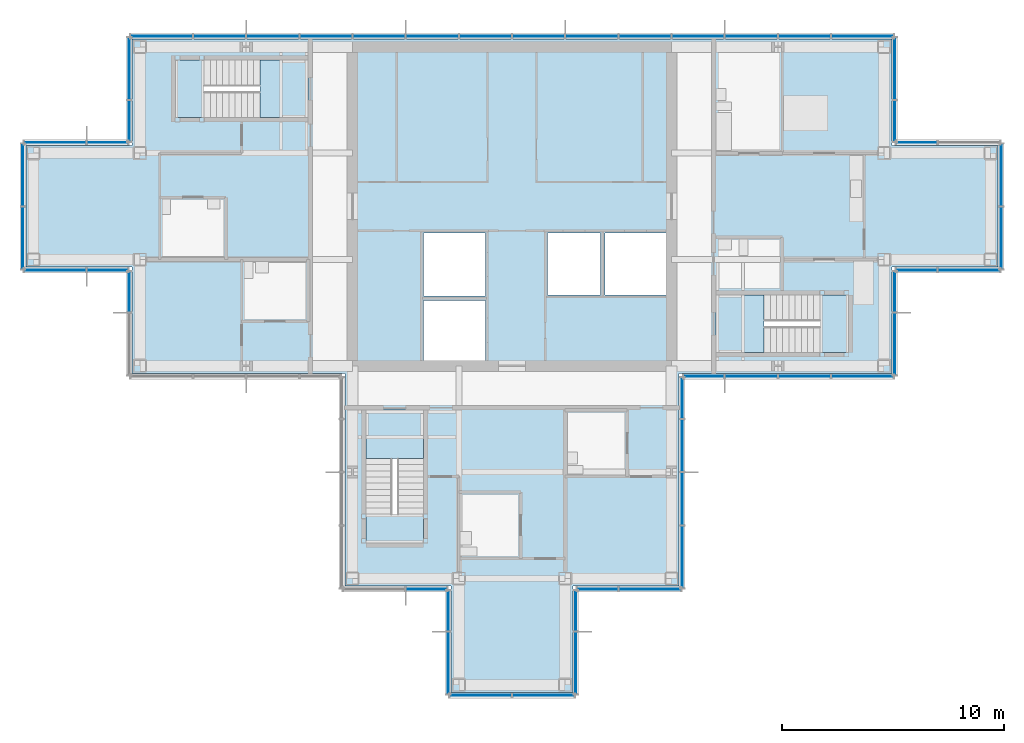
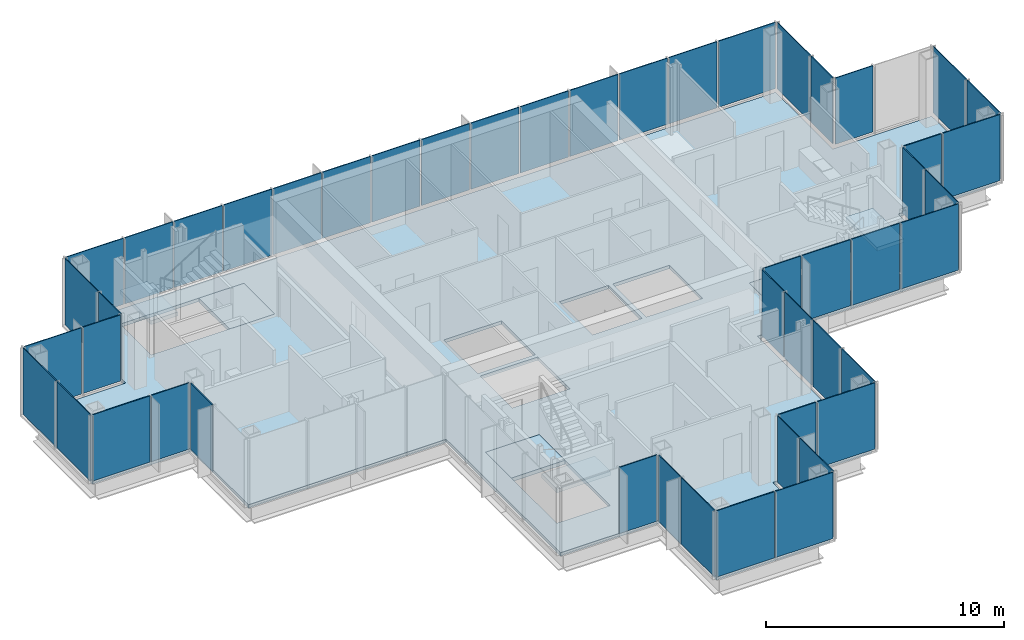
# One storey, part 9 of 15: 49 plates, 7 slabs, 21 elements without a shape of their own.
"""IFC4 building model written with IfcOpenShell, lengths in metres."""

from ifc_helpers import new_model, si_unit, direction, frame, origin, origin_2d, place, context, subcontext, project, spatial, polyline, rectangle, outline, extrude, material, layer, layer_set, type_object, element, aggregate, save


model = new_model("IFC4")

# Units and contexts
model_context = context("Model", 3, precision=1e-05, world=origin(), true_north=direction((0.0, 1.0)))
body_context = subcontext(model_context, "Body", "Model", "MODEL_VIEW")
ifc_project = project(units=[si_unit("LENGTHUNIT", "METRE"), si_unit("AREAUNIT", "SQUARE_METRE"), si_unit("VOLUMEUNIT", "CUBIC_METRE"), si_unit("PLANEANGLEUNIT", "RADIAN"), si_unit("MASSUNIT", "GRAM", prefix="KILO")], contexts=[model_context])

# Site, building, storey
site_placement = place(None, origin())
site = spatial("IfcSite", under=ifc_project, at=site_placement, CompositionType="ELEMENT")
building_placement = place(site_placement, origin())
building = spatial("IfcBuilding", under=site, at=building_placement, Name="Kvirike Care Tower", CompositionType="ELEMENT")
storey_placement = place(building_placement, frame((0.0, 0.0, 226.0)))
storey = spatial("IfcBuildingStorey", under=building, at=storey_placement, Name="L62", CompositionType="ELEMENT", Elevation=226.0)

# Slab
ifc_material_1 = material(Name="Concrete C35/45", Category="concrete")
ifc_layer_1 = layer(ifc_material_1, 0.169921875)
ifc_layer_set_1 = layer_set([ifc_layer_1], Name="FLOOR SLAB 170")
slab_type_1 = type_object("IfcSlabType", Name="FLOOR SLAB 170", PredefinedType="FLOOR", material=ifc_layer_set_1)
slab_1_placement = place(storey_placement, frame((0.0, 0.0, -0.169921875)))
element("IfcSlab", 1, at=slab_1_placement, inside=storey, type_object=slab_type_1, Name="Floor slab L62", PredefinedType="FLOOR", context=body_context, shape_type="SweptSolid", body=[
    extrude(outline(polyline([(29.14990234375, 28.449951171875), (38.75, 28.449951171875), (38.75, 33.25), (43.550048828125, 33.25), (43.550048828125, 38.75), (38.75, 38.75), (38.75, 43.550048828125), (4.449951171875, 43.550048828125), (4.449951171875, 38.75), (-0.35009765625, 38.75), (-0.35009765625, 33.25), (4.449951171875, 33.25), (4.449951171875, 28.449951171875), (14.050048828125, 28.449951171875), (14.050048828125, 18.85009765625), (18.85009765625, 18.85009765625), (18.85009765625, 14.050048828125), (24.35009765625, 14.050048828125), (24.35009765625, 18.85009765625), (29.14990234375, 18.85009765625), (29.14990234375, 28.449951171875)]), holes=[polyline([(17.60009765625, 29.050048828125), (17.60009765625, 31.75), (20.39990234375, 31.75), (20.39990234375, 29.050048828125), (17.60009765625, 29.050048828125)]), polyline([(17.60009765625, 31.949951171875), (17.60009765625, 34.800048828125), (20.39990234375, 34.800048828125), (20.39990234375, 31.949951171875), (17.60009765625, 31.949951171875)]), polyline([(23.199951171875, 32.0), (23.199951171875, 34.800048828125), (25.60009765625, 34.800048828125), (25.60009765625, 32.0), (23.199951171875, 32.0)]), polyline([(25.800048828125, 32.0), (25.800048828125, 34.800048828125), (28.550048828125, 34.800048828125), (28.550048828125, 32.0), (25.800048828125, 32.0)]), polyline([(12.39990234375, 42.60009765625), (12.39990234375, 40.0), (6.39990234375, 40.0), (6.39990234375, 42.60009765625), (12.39990234375, 42.60009765625)]), polyline([(30.800048828125, 29.39990234375), (30.800048828125, 32.0), (36.800048828125, 32.0), (36.800048828125, 29.39990234375), (30.800048828125, 29.39990234375)]), polyline([(15.0, 26.800048828125), (17.60009765625, 26.800048828125), (17.60009765625, 20.800048828125), (15.0, 20.800048828125), (15.0, 26.800048828125)])]), origin(), (0.0, 0.0, 1.0), 0.169921875),
])

# Stair, slabs
ifc_material_2 = material(Name="Concrete C35/45", Category="concrete")
stair_type = type_object("IfcStairType", Name="STAIR 20 RISERS", PredefinedType="HALF_TURN_STAIR", material=ifc_material_2)
stair_1_placement = place(storey_placement, origin())
stair_1 = element("IfcStair", 2, at=stair_1_placement, inside=storey, type_object=stair_type, Name="Stair 1 L62", PredefinedType="HALF_TURN_STAIR")
ifc_material_3 = material(Name="Concrete C35/45", Category="concrete")
ifc_layer_2 = layer(ifc_material_3, 0.199951171875)
ifc_layer_set_2 = layer_set([ifc_layer_2], Name="STAIR LANDING 200")
slab_type_2 = type_object("IfcSlabType", Name="STAIR LANDING 200", PredefinedType="LANDING", material=ifc_layer_set_2)
slab_2_placement = place(storey_placement, frame((0.0, 0.0, -0.199951171875)))
slab_2 = element("IfcSlab", 3, at=slab_2_placement, type_object=slab_type_2, Name="Stair S1 floor landing L62", PredefinedType="LANDING", context=body_context, shape_type="SweptSolid", body=[
    extrude(outline(polyline([(10.219970703125, 42.60009765625), (10.219970703125, 40.0), (12.39990234375, 40.0), (12.39990234375, 42.60009765625), (10.219970703125, 42.60009765625)])), origin(), (0.0, 0.0, 1.0), 0.199951171875),
])
slab_3_placement = place(storey_placement, frame((0.0, 0.0, 1.550048828125)))
slab_3 = element("IfcSlab", 4, at=slab_3_placement, type_object=slab_type_2, Name="Stair S1 half landing L62-L63", PredefinedType="LANDING", context=body_context, shape_type="SweptSolid", body=[
    extrude(outline(polyline([(6.39990234375, 42.60009765625), (6.39990234375, 40.0), (7.699951171875, 40.0), (7.699951171875, 42.60009765625), (6.39990234375, 42.60009765625)])), origin(), (0.0, 0.0, 1.0), 0.199951171875),
])
aggregate(stair_1, [slab_2, slab_3])

stair_2_placement = place(storey_placement, origin())
stair_2 = element("IfcStair", 5, at=stair_2_placement, inside=storey, type_object=stair_type, Name="Stair 2 L62", PredefinedType="HALF_TURN_STAIR")
slab_4_placement = place(storey_placement, frame((0.0, 0.0, -0.199951171875)))
slab_4 = element("IfcSlab", 6, at=slab_4_placement, type_object=slab_type_2, Name="Stair S2 floor landing L62", PredefinedType="LANDING", context=body_context, shape_type="SweptSolid", body=[
    extrude(outline(polyline([(32.97998046875, 29.39990234375), (32.97998046875, 32.0), (30.800048828125, 32.0), (30.800048828125, 29.39990234375), (32.97998046875, 29.39990234375)])), origin(), (0.0, 0.0, 1.0), 0.199951171875),
])
slab_5_placement = place(storey_placement, frame((0.0, 0.0, 1.550048828125)))
slab_5 = element("IfcSlab", 7, at=slab_5_placement, type_object=slab_type_2, Name="Stair S2 half landing L62-L63", PredefinedType="LANDING", context=body_context, shape_type="SweptSolid", body=[
    extrude(outline(polyline([(36.800048828125, 29.39990234375), (36.800048828125, 32.0), (35.5, 32.0), (35.5, 29.39990234375), (36.800048828125, 29.39990234375)])), origin(), (0.0, 0.0, 1.0), 0.199951171875),
])
aggregate(stair_2, [slab_4, slab_5])

stair_3_placement = place(storey_placement, origin())
stair_3 = element("IfcStair", 8, at=stair_3_placement, inside=storey, type_object=stair_type, Name="Stair 5 L62", PredefinedType="HALF_TURN_STAIR")
slab_6_placement = place(storey_placement, frame((0.0, 0.0, -0.199951171875)))
slab_6 = element("IfcSlab", 9, at=slab_6_placement, type_object=slab_type_2, Name="Stair S5 floor landing L62", PredefinedType="LANDING", context=body_context, shape_type="SweptSolid", body=[
    extrude(outline(polyline([(15.0, 24.6201171875), (17.60009765625, 24.6201171875), (17.60009765625, 26.800048828125), (15.0, 26.800048828125), (15.0, 24.6201171875)])), origin(), (0.0, 0.0, 1.0), 0.199951171875),
])
slab_7_placement = place(storey_placement, frame((0.0, 0.0, 1.550048828125)))
slab_7 = element("IfcSlab", 10, at=slab_7_placement, type_object=slab_type_2, Name="Stair S5 half landing L62-L63", PredefinedType="LANDING", context=body_context, shape_type="SweptSolid", body=[
    extrude(outline(polyline([(15.0, 20.800048828125), (17.60009765625, 20.800048828125), (17.60009765625, 22.10009765625), (15.0, 22.10009765625), (15.0, 20.800048828125)])), origin(), (0.0, 0.0, 1.0), 0.199951171875),
])
aggregate(stair_3, [slab_6, slab_7])

# Curtain wall, plates
ifc_material_4 = material(Name="Anodised aluminium stick system", Category="aluminium")
curtain_wall_type = type_object("IfcCurtainWallType", Name="CW-D STICK CURTAIN WALL", PredefinedType="NOTDEFINED", material=ifc_material_4)
curtain_wall_1_placement = place(storey_placement, origin())
curtain_wall_1 = element("IfcCurtainWall", 11, at=curtain_wall_1_placement, inside=storey, type_object=curtain_wall_type, Name="Curtain wall L62 face 1", PredefinedType="NOTDEFINED")
ifc_material_5 = material(Name="Tinted double glazed unit", Category="glass")
ifc_layer_3 = layer(ifc_material_5, 0.0439453125)
ifc_layer_set_3 = layer_set([ifc_layer_3], Name="TINTED VISION PANEL 44")
plate_type = type_object("IfcPlateType", Name="TINTED VISION PANEL 44", PredefinedType="CURTAIN_PANEL", material=ifc_layer_set_3)
plate_1_placement = place(storey_placement, frame((30.25634765625, 28.320068359375, 0.10009765625), z_axis=(0.0, 0.0, 1.0), x_axis=(1.0, 0.0, 0.0)))
plate_1 = element("IfcPlate", 12, at=plate_1_placement, type_object=plate_type, Name="CW-D panel L62 face 1.1", PredefinedType="CURTAIN_PANEL", context=body_context, shape_type="SweptSolid", body=[
    extrude(rectangle(XDim=1.822509765625, YDim=0.0439453125, at=origin_2d()), origin(), (0.0, 0.0, 1.0), 3.39990234375),
])
plate_2_placement = place(storey_placement, frame((32.39990234375, 28.320068359375, 0.10009765625), z_axis=(0.0, 0.0, 1.0), x_axis=(1.0, 0.0, 0.0)))
plate_2 = element("IfcPlate", 13, at=plate_2_placement, type_object=plate_type, Name="CW-D panel L62 face 1.2", PredefinedType="CURTAIN_PANEL", context=body_context, shape_type="SweptSolid", body=[
    extrude(rectangle(XDim=2.3349609375, YDim=0.0439453125, at=origin_2d()), origin(), (0.0, 0.0, 1.0), 3.39990234375),
])
plate_3_placement = place(storey_placement, frame((34.800048828125, 28.320068359375, 0.10009765625), z_axis=(0.0, 0.0, 1.0), x_axis=(1.0, 0.0, 0.0)))
plate_3 = element("IfcPlate", 14, at=plate_3_placement, type_object=plate_type, Name="CW-D panel L62 face 1.3", PredefinedType="CURTAIN_PANEL", context=body_context, shape_type="SweptSolid", body=[
    extrude(rectangle(XDim=2.3349609375, YDim=0.0439453125, at=origin_2d()), origin(), (0.0, 0.0, 1.0), 3.39990234375),
])
plate_4_placement = place(storey_placement, frame((37.423828125, 28.320068359375, 0.10009765625), z_axis=(0.0, 0.0, 1.0), x_axis=(1.0, 0.0, 0.0)))
plate_4 = element("IfcPlate", 15, at=plate_4_placement, type_object=plate_type, Name="CW-D panel L62 face 1.4", PredefinedType="CURTAIN_PANEL", context=body_context, shape_type="SweptSolid", body=[
    extrude(rectangle(XDim=2.782470703125, YDim=0.0439453125, at=origin_2d()), origin(), (0.0, 0.0, 1.0), 3.39990234375),
])
aggregate(curtain_wall_1, [plate_1, plate_2, plate_3, plate_4])

curtain_wall_2_placement = place(storey_placement, origin())
curtain_wall_2 = element("IfcCurtainWall", 16, at=curtain_wall_2_placement, inside=storey, type_object=curtain_wall_type, Name="Curtain wall L62 face 2", PredefinedType="NOTDEFINED")
plate_5_placement = place(storey_placement, frame((38.8798828125, 29.7763671875, 0.10009765625), z_axis=(0.0, 0.0, 1.0), x_axis=(0.0, 1.0, 0.0)))
plate_5 = element("IfcPlate", 17, at=plate_5_placement, type_object=plate_type, Name="CW-D panel L62 face 2.1", PredefinedType="CURTAIN_PANEL", context=body_context, shape_type="SweptSolid", body=[
    extrude(rectangle(XDim=2.782470703125, YDim=0.0439453125, at=origin_2d()), origin(), (0.0, 0.0, 1.0), 3.39990234375),
])
plate_6_placement = place(storey_placement, frame((38.8798828125, 32.143798828125, 0.10009765625), z_axis=(0.0, 0.0, 1.0), x_axis=(0.0, 1.0, 0.0)))
plate_6 = element("IfcPlate", 18, at=plate_6_placement, type_object=plate_type, Name="CW-D panel L62 face 2.2", PredefinedType="CURTAIN_PANEL", context=body_context, shape_type="SweptSolid", body=[
    extrude(rectangle(XDim=1.822509765625, YDim=0.0439453125, at=origin_2d()), origin(), (0.0, 0.0, 1.0), 3.39990234375),
])
aggregate(curtain_wall_2, [plate_5, plate_6])

curtain_wall_3_placement = place(storey_placement, origin())
curtain_wall_3 = element("IfcCurtainWall", 19, at=curtain_wall_3_placement, inside=storey, type_object=curtain_wall_type, Name="Curtain wall L62 face 3", PredefinedType="NOTDEFINED")
plate_7_placement = place(storey_placement, frame((39.856201171875, 33.1201171875, 0.10009765625), z_axis=(0.0, 0.0, 1.0), x_axis=(1.0, 0.0, 0.0)))
plate_7 = element("IfcPlate", 20, at=plate_7_placement, type_object=plate_type, Name="CW-D panel L62 face 3.1", PredefinedType="CURTAIN_PANEL", context=body_context, shape_type="SweptSolid", body=[
    extrude(rectangle(XDim=1.822509765625, YDim=0.0439453125, at=origin_2d()), origin(), (0.0, 0.0, 1.0), 3.39990234375),
])
plate_8_placement = place(storey_placement, frame((42.2236328125, 33.1201171875, 0.10009765625), z_axis=(0.0, 0.0, 1.0), x_axis=(1.0, 0.0, 0.0)))
plate_8 = element("IfcPlate", 21, at=plate_8_placement, type_object=plate_type, Name="CW-D panel L62 face 3.2", PredefinedType="CURTAIN_PANEL", context=body_context, shape_type="SweptSolid", body=[
    extrude(rectangle(XDim=2.782470703125, YDim=0.0439453125, at=origin_2d()), origin(), (0.0, 0.0, 1.0), 3.39990234375),
])
aggregate(curtain_wall_3, [plate_7, plate_8])

curtain_wall_4_placement = place(storey_placement, origin())
curtain_wall_4 = element("IfcCurtainWall", 22, at=curtain_wall_4_placement, inside=storey, type_object=curtain_wall_type, Name="Curtain wall L62 face 4", PredefinedType="NOTDEFINED")
plate_9_placement = place(storey_placement, frame((43.679931640625, 34.576171875, 0.10009765625), z_axis=(0.0, 0.0, 1.0), x_axis=(0.0, 1.0, 0.0)))
plate_9 = element("IfcPlate", 23, at=plate_9_placement, type_object=plate_type, Name="CW-D panel L62 face 4.1", PredefinedType="CURTAIN_PANEL", context=body_context, shape_type="SweptSolid", body=[
    extrude(rectangle(XDim=2.782470703125, YDim=0.0439453125, at=origin_2d()), origin(), (0.0, 0.0, 1.0), 3.39990234375),
])
plate_10_placement = place(storey_placement, frame((43.679931640625, 37.423828125, 0.10009765625), z_axis=(0.0, 0.0, 1.0), x_axis=(0.0, 1.0, 0.0)))
plate_10 = element("IfcPlate", 24, at=plate_10_placement, type_object=plate_type, Name="CW-D panel L62 face 4.2", PredefinedType="CURTAIN_PANEL", context=body_context, shape_type="SweptSolid", body=[
    extrude(rectangle(XDim=2.782470703125, YDim=0.0439453125, at=origin_2d()), origin(), (0.0, 0.0, 1.0), 3.39990234375),
])
aggregate(curtain_wall_4, [plate_9, plate_10])

# Curtain wall, plate
curtain_wall_5_placement = place(storey_placement, origin())
curtain_wall_5 = element("IfcCurtainWall", 25, at=curtain_wall_5_placement, inside=storey, type_object=curtain_wall_type, Name="Curtain wall L62 face 5", PredefinedType="NOTDEFINED")
plate_11_placement = place(storey_placement, frame((39.856201171875, 38.8798828125, 0.10009765625), z_axis=(0.0, 0.0, 1.0), x_axis=(-1.0, 0.0, 0.0)))
plate_11 = element("IfcPlate", 26, at=plate_11_placement, type_object=plate_type, Name="CW-D panel L62 face 5.2", PredefinedType="CURTAIN_PANEL", context=body_context, shape_type="SweptSolid", body=[
    extrude(rectangle(XDim=1.822509765625, YDim=0.0439453125, at=origin_2d()), origin(), (0.0, 0.0, 1.0), 3.39990234375),
])
aggregate(curtain_wall_5, [plate_11])

# Curtain wall, plates
curtain_wall_6_placement = place(storey_placement, origin())
curtain_wall_6 = element("IfcCurtainWall", 27, at=curtain_wall_6_placement, inside=storey, type_object=curtain_wall_type, Name="Curtain wall L62 face 6", PredefinedType="NOTDEFINED")
plate_12_placement = place(storey_placement, frame((38.8798828125, 39.856201171875, 0.10009765625), z_axis=(0.0, 0.0, 1.0), x_axis=(0.0, 1.0, 0.0)))
plate_12 = element("IfcPlate", 28, at=plate_12_placement, type_object=plate_type, Name="CW-D panel L62 face 6.1", PredefinedType="CURTAIN_PANEL", context=body_context, shape_type="SweptSolid", body=[
    extrude(rectangle(XDim=1.822509765625, YDim=0.0439453125, at=origin_2d()), origin(), (0.0, 0.0, 1.0), 3.39990234375),
])
plate_13_placement = place(storey_placement, frame((38.8798828125, 42.2236328125, 0.10009765625), z_axis=(0.0, 0.0, 1.0), x_axis=(0.0, 1.0, 0.0)))
plate_13 = element("IfcPlate", 29, at=plate_13_placement, type_object=plate_type, Name="CW-D panel L62 face 6.2", PredefinedType="CURTAIN_PANEL", context=body_context, shape_type="SweptSolid", body=[
    extrude(rectangle(XDim=2.782470703125, YDim=0.0439453125, at=origin_2d()), origin(), (0.0, 0.0, 1.0), 3.39990234375),
])
aggregate(curtain_wall_6, [plate_12, plate_13])

curtain_wall_7_placement = place(storey_placement, origin())
curtain_wall_7 = element("IfcCurtainWall", 30, at=curtain_wall_7_placement, inside=storey, type_object=curtain_wall_type, Name="Curtain wall L62 face 7", PredefinedType="NOTDEFINED")
plate_14_placement = place(storey_placement, frame((37.423828125, 43.679931640625, 0.10009765625), z_axis=(0.0, 0.0, 1.0), x_axis=(-1.0, 0.0, 0.0)))
plate_14 = element("IfcPlate", 31, at=plate_14_placement, type_object=plate_type, Name="CW-D panel L62 face 7.1", PredefinedType="CURTAIN_PANEL", context=body_context, shape_type="SweptSolid", body=[
    extrude(rectangle(XDim=2.782470703125, YDim=0.0439453125, at=origin_2d()), origin(), (0.0, 0.0, 1.0), 3.39990234375),
])
plate_15_placement = place(storey_placement, frame((34.800048828125, 43.679931640625, 0.10009765625), z_axis=(0.0, 0.0, 1.0), x_axis=(-1.0, 0.0, 0.0)))
plate_15 = element("IfcPlate", 32, at=plate_15_placement, type_object=plate_type, Name="CW-D panel L62 face 7.2", PredefinedType="CURTAIN_PANEL", context=body_context, shape_type="SweptSolid", body=[
    extrude(rectangle(XDim=2.3349609375, YDim=0.0439453125, at=origin_2d()), origin(), (0.0, 0.0, 1.0), 3.39990234375),
])
plate_16_placement = place(storey_placement, frame((32.39990234375, 43.679931640625, 0.10009765625), z_axis=(0.0, 0.0, 1.0), x_axis=(-1.0, 0.0, 0.0)))
plate_16 = element("IfcPlate", 33, at=plate_16_placement, type_object=plate_type, Name="CW-D panel L62 face 7.3", PredefinedType="CURTAIN_PANEL", context=body_context, shape_type="SweptSolid", body=[
    extrude(rectangle(XDim=2.3349609375, YDim=0.0439453125, at=origin_2d()), origin(), (0.0, 0.0, 1.0), 3.39990234375),
])
plate_17_placement = place(storey_placement, frame((30.0, 43.679931640625, 0.10009765625), z_axis=(0.0, 0.0, 1.0), x_axis=(-1.0, 0.0, 0.0)))
plate_17 = element("IfcPlate", 34, at=plate_17_placement, type_object=plate_type, Name="CW-D panel L62 face 7.4", PredefinedType="CURTAIN_PANEL", context=body_context, shape_type="SweptSolid", body=[
    extrude(rectangle(XDim=2.3349609375, YDim=0.0439453125, at=origin_2d()), origin(), (0.0, 0.0, 1.0), 3.39990234375),
])
plate_18_placement = place(storey_placement, frame((27.60009765625, 43.679931640625, 0.10009765625), z_axis=(0.0, 0.0, 1.0), x_axis=(-1.0, 0.0, 0.0)))
plate_18 = element("IfcPlate", 35, at=plate_18_placement, type_object=plate_type, Name="CW-D panel L62 face 7.5", PredefinedType="CURTAIN_PANEL", context=body_context, shape_type="SweptSolid", body=[
    extrude(rectangle(XDim=2.3349609375, YDim=0.0439453125, at=origin_2d()), origin(), (0.0, 0.0, 1.0), 3.39990234375),
])
plate_19_placement = place(storey_placement, frame((25.199951171875, 43.679931640625, 0.10009765625), z_axis=(0.0, 0.0, 1.0), x_axis=(-1.0, 0.0, 0.0)))
plate_19 = element("IfcPlate", 36, at=plate_19_placement, type_object=plate_type, Name="CW-D panel L62 face 7.6", PredefinedType="CURTAIN_PANEL", context=body_context, shape_type="SweptSolid", body=[
    extrude(rectangle(XDim=2.3349609375, YDim=0.0439453125, at=origin_2d()), origin(), (0.0, 0.0, 1.0), 3.39990234375),
])
plate_20_placement = place(storey_placement, frame((22.800048828125, 43.679931640625, 0.10009765625), z_axis=(0.0, 0.0, 1.0), x_axis=(-1.0, 0.0, 0.0)))
plate_20 = element("IfcPlate", 37, at=plate_20_placement, type_object=plate_type, Name="CW-D panel L62 face 7.7", PredefinedType="CURTAIN_PANEL", context=body_context, shape_type="SweptSolid", body=[
    extrude(rectangle(XDim=2.3349609375, YDim=0.0439453125, at=origin_2d()), origin(), (0.0, 0.0, 1.0), 3.39990234375),
])
plate_21_placement = place(storey_placement, frame((20.39990234375, 43.679931640625, 0.10009765625), z_axis=(0.0, 0.0, 1.0), x_axis=(-1.0, 0.0, 0.0)))
plate_21 = element("IfcPlate", 38, at=plate_21_placement, type_object=plate_type, Name="CW-D panel L62 face 7.8", PredefinedType="CURTAIN_PANEL", context=body_context, shape_type="SweptSolid", body=[
    extrude(rectangle(XDim=2.3349609375, YDim=0.0439453125, at=origin_2d()), origin(), (0.0, 0.0, 1.0), 3.39990234375),
])
plate_22_placement = place(storey_placement, frame((18.0, 43.679931640625, 0.10009765625), z_axis=(0.0, 0.0, 1.0), x_axis=(-1.0, 0.0, 0.0)))
plate_22 = element("IfcPlate", 39, at=plate_22_placement, type_object=plate_type, Name="CW-D panel L62 face 7.9", PredefinedType="CURTAIN_PANEL", context=body_context, shape_type="SweptSolid", body=[
    extrude(rectangle(XDim=2.3349609375, YDim=0.0439453125, at=origin_2d()), origin(), (0.0, 0.0, 1.0), 3.39990234375),
])
plate_23_placement = place(storey_placement, frame((15.60009765625, 43.679931640625, 0.10009765625), z_axis=(0.0, 0.0, 1.0), x_axis=(-1.0, 0.0, 0.0)))
plate_23 = element("IfcPlate", 40, at=plate_23_placement, type_object=plate_type, Name="CW-D panel L62 face 7.10", PredefinedType="CURTAIN_PANEL", context=body_context, shape_type="SweptSolid", body=[
    extrude(rectangle(XDim=2.3349609375, YDim=0.0439453125, at=origin_2d()), origin(), (0.0, 0.0, 1.0), 3.39990234375),
])
plate_24_placement = place(storey_placement, frame((13.199951171875, 43.679931640625, 0.10009765625), z_axis=(0.0, 0.0, 1.0), x_axis=(-1.0, 0.0, 0.0)))
plate_24 = element("IfcPlate", 41, at=plate_24_placement, type_object=plate_type, Name="CW-D panel L62 face 7.11", PredefinedType="CURTAIN_PANEL", context=body_context, shape_type="SweptSolid", body=[
    extrude(rectangle(XDim=2.3349609375, YDim=0.0439453125, at=origin_2d()), origin(), (0.0, 0.0, 1.0), 3.39990234375),
])
plate_25_placement = place(storey_placement, frame((10.800048828125, 43.679931640625, 0.10009765625), z_axis=(0.0, 0.0, 1.0), x_axis=(-1.0, 0.0, 0.0)))
plate_25 = element("IfcPlate", 42, at=plate_25_placement, type_object=plate_type, Name="CW-D panel L62 face 7.12", PredefinedType="CURTAIN_PANEL", context=body_context, shape_type="SweptSolid", body=[
    extrude(rectangle(XDim=2.3349609375, YDim=0.0439453125, at=origin_2d()), origin(), (0.0, 0.0, 1.0), 3.39990234375),
])
plate_26_placement = place(storey_placement, frame((8.39990234375, 43.679931640625, 0.10009765625), z_axis=(0.0, 0.0, 1.0), x_axis=(-1.0, 0.0, 0.0)))
plate_26 = element("IfcPlate", 43, at=plate_26_placement, type_object=plate_type, Name="CW-D panel L62 face 7.13", PredefinedType="CURTAIN_PANEL", context=body_context, shape_type="SweptSolid", body=[
    extrude(rectangle(XDim=2.3349609375, YDim=0.0439453125, at=origin_2d()), origin(), (0.0, 0.0, 1.0), 3.39990234375),
])
plate_27_placement = place(storey_placement, frame((5.7763671875, 43.679931640625, 0.10009765625), z_axis=(0.0, 0.0, 1.0), x_axis=(-1.0, 0.0, 0.0)))
plate_27 = element("IfcPlate", 44, at=plate_27_placement, type_object=plate_type, Name="CW-D panel L62 face 7.14", PredefinedType="CURTAIN_PANEL", context=body_context, shape_type="SweptSolid", body=[
    extrude(rectangle(XDim=2.782470703125, YDim=0.0439453125, at=origin_2d()), origin(), (0.0, 0.0, 1.0), 3.39990234375),
])
aggregate(curtain_wall_7, [plate_14, plate_15, plate_16, plate_17, plate_18, plate_19, plate_20, plate_21, plate_22, plate_23, plate_24, plate_25, plate_26, plate_27])

curtain_wall_8_placement = place(storey_placement, origin())
curtain_wall_8 = element("IfcCurtainWall", 45, at=curtain_wall_8_placement, inside=storey, type_object=curtain_wall_type, Name="Curtain wall L62 face 8", PredefinedType="NOTDEFINED")
plate_28_placement = place(storey_placement, frame((4.320068359375, 42.2236328125, 0.10009765625), z_axis=(0.0, 0.0, 1.0), x_axis=(0.0, -1.0, 0.0)))
plate_28 = element("IfcPlate", 46, at=plate_28_placement, type_object=plate_type, Name="CW-D panel L62 face 8.1", PredefinedType="CURTAIN_PANEL", context=body_context, shape_type="SweptSolid", body=[
    extrude(rectangle(XDim=2.782470703125, YDim=0.0439453125, at=origin_2d()), origin(), (0.0, 0.0, 1.0), 3.39990234375),
])
plate_29_placement = place(storey_placement, frame((4.320068359375, 39.856201171875, 0.10009765625), z_axis=(0.0, 0.0, 1.0), x_axis=(0.0, -1.0, 0.0)))
plate_29 = element("IfcPlate", 47, at=plate_29_placement, type_object=plate_type, Name="CW-D panel L62 face 8.2", PredefinedType="CURTAIN_PANEL", context=body_context, shape_type="SweptSolid", body=[
    extrude(rectangle(XDim=1.822509765625, YDim=0.0439453125, at=origin_2d()), origin(), (0.0, 0.0, 1.0), 3.39990234375),
])
aggregate(curtain_wall_8, [plate_28, plate_29])

curtain_wall_9_placement = place(storey_placement, origin())
curtain_wall_9 = element("IfcCurtainWall", 48, at=curtain_wall_9_placement, inside=storey, type_object=curtain_wall_type, Name="Curtain wall L62 face 9", PredefinedType="NOTDEFINED")
plate_30_placement = place(storey_placement, frame((3.34375, 38.8798828125, 0.10009765625), z_axis=(0.0, 0.0, 1.0), x_axis=(-1.0, 0.0, 0.0)))
plate_30 = element("IfcPlate", 49, at=plate_30_placement, type_object=plate_type, Name="CW-D panel L62 face 9.1", PredefinedType="CURTAIN_PANEL", context=body_context, shape_type="SweptSolid", body=[
    extrude(rectangle(XDim=1.822509765625, YDim=0.0439453125, at=origin_2d()), origin(), (0.0, 0.0, 1.0), 3.39990234375),
])
plate_31_placement = place(storey_placement, frame((0.976318359375, 38.8798828125, 0.10009765625), z_axis=(0.0, 0.0, 1.0), x_axis=(-1.0, 0.0, 0.0)))
plate_31 = element("IfcPlate", 50, at=plate_31_placement, type_object=plate_type, Name="CW-D panel L62 face 9.2", PredefinedType="CURTAIN_PANEL", context=body_context, shape_type="SweptSolid", body=[
    extrude(rectangle(XDim=2.782470703125, YDim=0.0439453125, at=origin_2d()), origin(), (0.0, 0.0, 1.0), 3.39990234375),
])
aggregate(curtain_wall_9, [plate_30, plate_31])

curtain_wall_10_placement = place(storey_placement, origin())
curtain_wall_10 = element("IfcCurtainWall", 51, at=curtain_wall_10_placement, inside=storey, type_object=curtain_wall_type, Name="Curtain wall L62 face 10", PredefinedType="NOTDEFINED")
plate_32_placement = place(storey_placement, frame((-0.47998046875, 37.423828125, 0.10009765625), z_axis=(0.0, 0.0, 1.0), x_axis=(0.0, -1.0, 0.0)))
plate_32 = element("IfcPlate", 52, at=plate_32_placement, type_object=plate_type, Name="CW-D panel L62 face 10.1", PredefinedType="CURTAIN_PANEL", context=body_context, shape_type="SweptSolid", body=[
    extrude(rectangle(XDim=2.782470703125, YDim=0.0439453125, at=origin_2d()), origin(), (0.0, 0.0, 1.0), 3.39990234375),
])
plate_33_placement = place(storey_placement, frame((-0.47998046875, 34.576171875, 0.10009765625), z_axis=(0.0, 0.0, 1.0), x_axis=(0.0, -1.0, 0.0)))
plate_33 = element("IfcPlate", 53, at=plate_33_placement, type_object=plate_type, Name="CW-D panel L62 face 10.2", PredefinedType="CURTAIN_PANEL", context=body_context, shape_type="SweptSolid", body=[
    extrude(rectangle(XDim=2.782470703125, YDim=0.0439453125, at=origin_2d()), origin(), (0.0, 0.0, 1.0), 3.39990234375),
])
aggregate(curtain_wall_10, [plate_32, plate_33])

curtain_wall_11_placement = place(storey_placement, origin())
curtain_wall_11 = element("IfcCurtainWall", 54, at=curtain_wall_11_placement, inside=storey, type_object=curtain_wall_type, Name="Curtain wall L62 face 11", PredefinedType="NOTDEFINED")
plate_34_placement = place(storey_placement, frame((0.976318359375, 33.1201171875, 0.10009765625), z_axis=(0.0, 0.0, 1.0), x_axis=(1.0, 0.0, 0.0)))
plate_34 = element("IfcPlate", 55, at=plate_34_placement, type_object=plate_type, Name="CW-D panel L62 face 11.1", PredefinedType="CURTAIN_PANEL", context=body_context, shape_type="SweptSolid", body=[
    extrude(rectangle(XDim=2.782470703125, YDim=0.0439453125, at=origin_2d()), origin(), (0.0, 0.0, 1.0), 3.39990234375),
])
plate_35_placement = place(storey_placement, frame((3.34375, 33.1201171875, 0.10009765625), z_axis=(0.0, 0.0, 1.0), x_axis=(1.0, 0.0, 0.0)))
plate_35 = element("IfcPlate", 56, at=plate_35_placement, type_object=plate_type, Name="CW-D panel L62 face 11.2", PredefinedType="CURTAIN_PANEL", context=body_context, shape_type="SweptSolid", body=[
    extrude(rectangle(XDim=1.822509765625, YDim=0.0439453125, at=origin_2d()), origin(), (0.0, 0.0, 1.0), 3.39990234375),
])
aggregate(curtain_wall_11, [plate_34, plate_35])

# Curtain wall, plate
curtain_wall_12_placement = place(storey_placement, origin())
curtain_wall_12 = element("IfcCurtainWall", 57, at=curtain_wall_12_placement, inside=storey, type_object=curtain_wall_type, Name="Curtain wall L62 face 12", PredefinedType="NOTDEFINED")
plate_36_placement = place(storey_placement, frame((4.320068359375, 32.143798828125, 0.10009765625), z_axis=(0.0, 0.0, 1.0), x_axis=(0.0, -1.0, 0.0)))
plate_36 = element("IfcPlate", 58, at=plate_36_placement, type_object=plate_type, Name="CW-D panel L62 face 12.1", PredefinedType="CURTAIN_PANEL", context=body_context, shape_type="SweptSolid", body=[
    extrude(rectangle(XDim=1.822509765625, YDim=0.0439453125, at=origin_2d()), origin(), (0.0, 0.0, 1.0), 3.39990234375),
])
aggregate(curtain_wall_12, [plate_36])

curtain_wall_13_placement = place(storey_placement, origin())
curtain_wall_13 = element("IfcCurtainWall", 59, at=curtain_wall_13_placement, inside=storey, type_object=curtain_wall_type, Name="Curtain wall L62 face 15", PredefinedType="NOTDEFINED")
plate_37_placement = place(storey_placement, frame((17.74365234375, 18.719970703125, 0.10009765625), z_axis=(0.0, 0.0, 1.0), x_axis=(1.0, 0.0, 0.0)))
plate_37 = element("IfcPlate", 60, at=plate_37_placement, type_object=plate_type, Name="CW-D panel L62 face 15.2", PredefinedType="CURTAIN_PANEL", context=body_context, shape_type="SweptSolid", body=[
    extrude(rectangle(XDim=1.822509765625, YDim=0.0439453125, at=origin_2d()), origin(), (0.0, 0.0, 1.0), 3.39990234375),
])
aggregate(curtain_wall_13, [plate_37])

# Curtain wall, plates
curtain_wall_14_placement = place(storey_placement, origin())
curtain_wall_14 = element("IfcCurtainWall", 61, at=curtain_wall_14_placement, inside=storey, type_object=curtain_wall_type, Name="Curtain wall L62 face 16", PredefinedType="NOTDEFINED")
plate_38_placement = place(storey_placement, frame((18.719970703125, 17.74365234375, 0.10009765625), z_axis=(0.0, 0.0, 1.0), x_axis=(0.0, -1.0, 0.0)))
plate_38 = element("IfcPlate", 62, at=plate_38_placement, type_object=plate_type, Name="CW-D panel L62 face 16.1", PredefinedType="CURTAIN_PANEL", context=body_context, shape_type="SweptSolid", body=[
    extrude(rectangle(XDim=1.822509765625, YDim=0.0439453125, at=origin_2d()), origin(), (0.0, 0.0, 1.0), 3.39990234375),
])
plate_39_placement = place(storey_placement, frame((18.719970703125, 15.376220703125, 0.10009765625), z_axis=(0.0, 0.0, 1.0), x_axis=(0.0, -1.0, 0.0)))
plate_39 = element("IfcPlate", 63, at=plate_39_placement, type_object=plate_type, Name="CW-D panel L62 face 16.2", PredefinedType="CURTAIN_PANEL", context=body_context, shape_type="SweptSolid", body=[
    extrude(rectangle(XDim=2.782470703125, YDim=0.0439453125, at=origin_2d()), origin(), (0.0, 0.0, 1.0), 3.39990234375),
])
aggregate(curtain_wall_14, [plate_38, plate_39])

curtain_wall_15_placement = place(storey_placement, origin())
curtain_wall_15 = element("IfcCurtainWall", 64, at=curtain_wall_15_placement, inside=storey, type_object=curtain_wall_type, Name="Curtain wall L62 face 17", PredefinedType="NOTDEFINED")
plate_40_placement = place(storey_placement, frame((20.17626953125, 13.919921875, 0.10009765625), z_axis=(0.0, 0.0, 1.0), x_axis=(1.0, 0.0, 0.0)))
plate_40 = element("IfcPlate", 65, at=plate_40_placement, type_object=plate_type, Name="CW-D panel L62 face 17.1", PredefinedType="CURTAIN_PANEL", context=body_context, shape_type="SweptSolid", body=[
    extrude(rectangle(XDim=2.782470703125, YDim=0.0439453125, at=origin_2d()), origin(), (0.0, 0.0, 1.0), 3.39990234375),
])
plate_41_placement = place(storey_placement, frame((23.023681640625, 13.919921875, 0.10009765625), z_axis=(0.0, 0.0, 1.0), x_axis=(1.0, 0.0, 0.0)))
plate_41 = element("IfcPlate", 66, at=plate_41_placement, type_object=plate_type, Name="CW-D panel L62 face 17.2", PredefinedType="CURTAIN_PANEL", context=body_context, shape_type="SweptSolid", body=[
    extrude(rectangle(XDim=2.782470703125, YDim=0.0439453125, at=origin_2d()), origin(), (0.0, 0.0, 1.0), 3.39990234375),
])
aggregate(curtain_wall_15, [plate_40, plate_41])

curtain_wall_16_placement = place(storey_placement, origin())
curtain_wall_16 = element("IfcCurtainWall", 67, at=curtain_wall_16_placement, inside=storey, type_object=curtain_wall_type, Name="Curtain wall L62 face 18", PredefinedType="NOTDEFINED")
plate_42_placement = place(storey_placement, frame((24.47998046875, 15.376220703125, 0.10009765625), z_axis=(0.0, 0.0, 1.0), x_axis=(0.0, 1.0, 0.0)))
plate_42 = element("IfcPlate", 68, at=plate_42_placement, type_object=plate_type, Name="CW-D panel L62 face 18.1", PredefinedType="CURTAIN_PANEL", context=body_context, shape_type="SweptSolid", body=[
    extrude(rectangle(XDim=2.782470703125, YDim=0.0439453125, at=origin_2d()), origin(), (0.0, 0.0, 1.0), 3.39990234375),
])
plate_43_placement = place(storey_placement, frame((24.47998046875, 17.74365234375, 0.10009765625), z_axis=(0.0, 0.0, 1.0), x_axis=(0.0, 1.0, 0.0)))
plate_43 = element("IfcPlate", 69, at=plate_43_placement, type_object=plate_type, Name="CW-D panel L62 face 18.2", PredefinedType="CURTAIN_PANEL", context=body_context, shape_type="SweptSolid", body=[
    extrude(rectangle(XDim=1.822509765625, YDim=0.0439453125, at=origin_2d()), origin(), (0.0, 0.0, 1.0), 3.39990234375),
])
aggregate(curtain_wall_16, [plate_42, plate_43])

curtain_wall_17_placement = place(storey_placement, origin())
curtain_wall_17 = element("IfcCurtainWall", 70, at=curtain_wall_17_placement, inside=storey, type_object=curtain_wall_type, Name="Curtain wall L62 face 19", PredefinedType="NOTDEFINED")
plate_44_placement = place(storey_placement, frame((25.456298828125, 18.719970703125, 0.10009765625), z_axis=(0.0, 0.0, 1.0), x_axis=(1.0, 0.0, 0.0)))
plate_44 = element("IfcPlate", 71, at=plate_44_placement, type_object=plate_type, Name="CW-D panel L62 face 19.1", PredefinedType="CURTAIN_PANEL", context=body_context, shape_type="SweptSolid", body=[
    extrude(rectangle(XDim=1.822509765625, YDim=0.0439453125, at=origin_2d()), origin(), (0.0, 0.0, 1.0), 3.39990234375),
])
plate_45_placement = place(storey_placement, frame((27.82373046875, 18.719970703125, 0.10009765625), z_axis=(0.0, 0.0, 1.0), x_axis=(1.0, 0.0, 0.0)))
plate_45 = element("IfcPlate", 72, at=plate_45_placement, type_object=plate_type, Name="CW-D panel L62 face 19.2", PredefinedType="CURTAIN_PANEL", context=body_context, shape_type="SweptSolid", body=[
    extrude(rectangle(XDim=2.782470703125, YDim=0.0439453125, at=origin_2d()), origin(), (0.0, 0.0, 1.0), 3.39990234375),
])
aggregate(curtain_wall_17, [plate_44, plate_45])

curtain_wall_18_placement = place(storey_placement, origin())
curtain_wall_18 = element("IfcCurtainWall", 73, at=curtain_wall_18_placement, inside=storey, type_object=curtain_wall_type, Name="Curtain wall L62 face 20", PredefinedType="NOTDEFINED")
plate_46_placement = place(storey_placement, frame((29.280029296875, 20.17626953125, 0.10009765625), z_axis=(0.0, 0.0, 1.0), x_axis=(0.0, 1.0, 0.0)))
plate_46 = element("IfcPlate", 74, at=plate_46_placement, type_object=plate_type, Name="CW-D panel L62 face 20.1", PredefinedType="CURTAIN_PANEL", context=body_context, shape_type="SweptSolid", body=[
    extrude(rectangle(XDim=2.782470703125, YDim=0.0439453125, at=origin_2d()), origin(), (0.0, 0.0, 1.0), 3.39990234375),
])
plate_47_placement = place(storey_placement, frame((29.280029296875, 22.800048828125, 0.10009765625), z_axis=(0.0, 0.0, 1.0), x_axis=(0.0, 1.0, 0.0)))
plate_47 = element("IfcPlate", 75, at=plate_47_placement, type_object=plate_type, Name="CW-D panel L62 face 20.2", PredefinedType="CURTAIN_PANEL", context=body_context, shape_type="SweptSolid", body=[
    extrude(rectangle(XDim=2.3349609375, YDim=0.0439453125, at=origin_2d()), origin(), (0.0, 0.0, 1.0), 3.39990234375),
])
plate_48_placement = place(storey_placement, frame((29.280029296875, 25.199951171875, 0.10009765625), z_axis=(0.0, 0.0, 1.0), x_axis=(0.0, 1.0, 0.0)))
plate_48 = element("IfcPlate", 76, at=plate_48_placement, type_object=plate_type, Name="CW-D panel L62 face 20.3", PredefinedType="CURTAIN_PANEL", context=body_context, shape_type="SweptSolid", body=[
    extrude(rectangle(XDim=2.3349609375, YDim=0.0439453125, at=origin_2d()), origin(), (0.0, 0.0, 1.0), 3.39990234375),
])
plate_49_placement = place(storey_placement, frame((29.280029296875, 27.34375, 0.10009765625), z_axis=(0.0, 0.0, 1.0), x_axis=(0.0, 1.0, 0.0)))
plate_49 = element("IfcPlate", 77, at=plate_49_placement, type_object=plate_type, Name="CW-D panel L62 face 20.4", PredefinedType="CURTAIN_PANEL", context=body_context, shape_type="SweptSolid", body=[
    extrude(rectangle(XDim=1.822509765625, YDim=0.0439453125, at=origin_2d()), origin(), (0.0, 0.0, 1.0), 3.39990234375),
])
aggregate(curtain_wall_18, [plate_46, plate_47, plate_48, plate_49])

save(model, "model.ifc")
